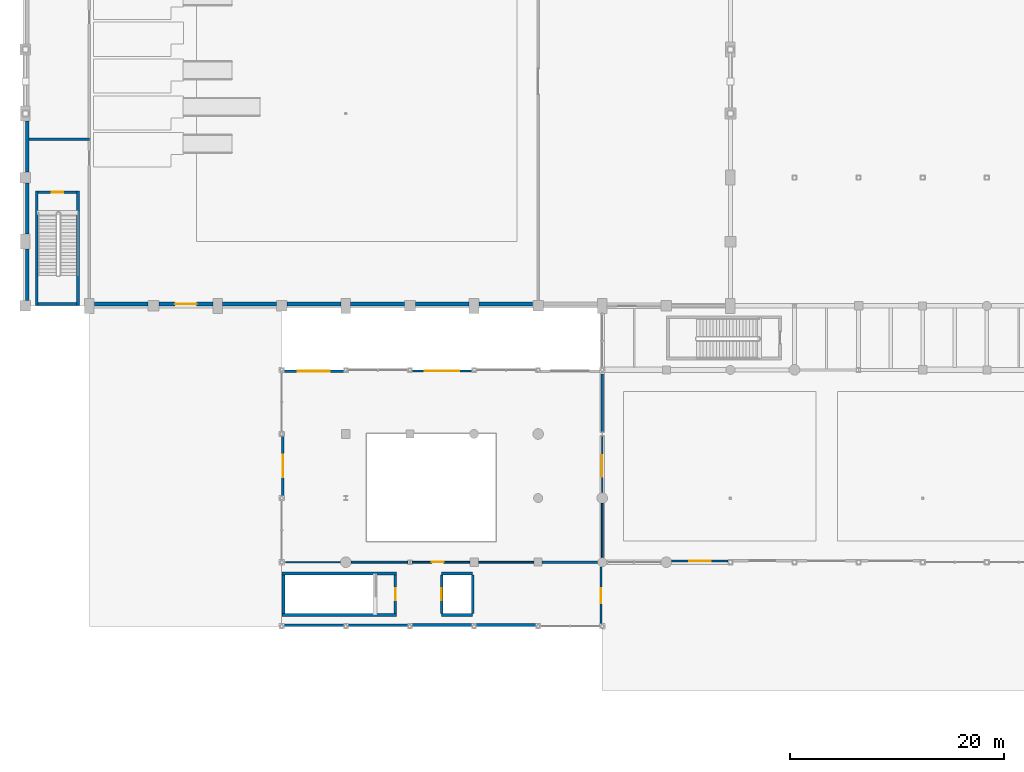
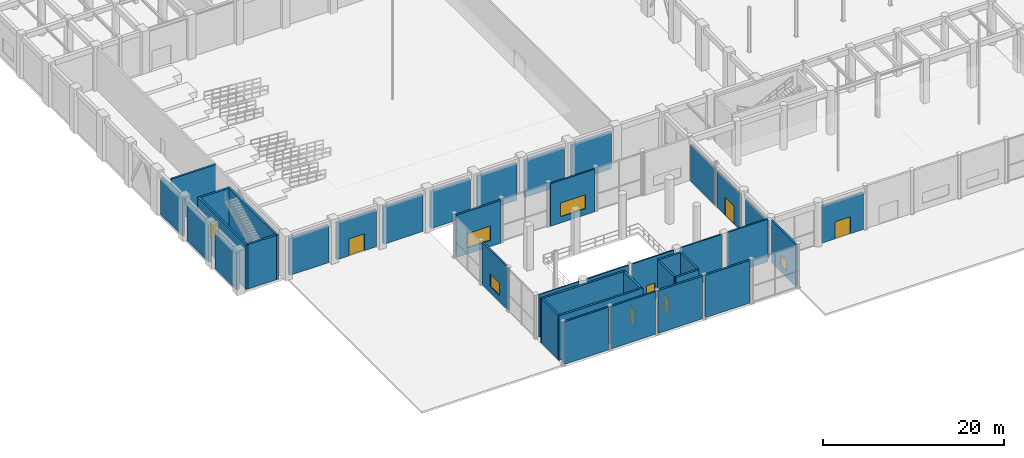
# One storey, part 78 of 106: 40 walls, 7 doors, 4 windows, 11 openings.
"""IFC4 building model written with IfcOpenShell, lengths in metres."""

from ifc_helpers import new_model, si_unit, direction, frame, frame_2d, origin, place, context, subcontext, project, spatial, rectangle, extrude, material, layer, layer_set, type_object, element, fill, save


model = new_model("IFC4")

# Units and contexts
model_context = context("Model", 3, precision=1e-05, world=origin(), true_north=direction((0.0, 1.0)))
body_context = subcontext(model_context, "Body", "Model", "MODEL_VIEW")
ifc_project = project(units=[si_unit("LENGTHUNIT", "METRE"), si_unit("AREAUNIT", "SQUARE_METRE"), si_unit("VOLUMEUNIT", "CUBIC_METRE"), si_unit("PLANEANGLEUNIT", "RADIAN"), si_unit("MASSUNIT", "GRAM", prefix="KILO"), si_unit("THERMODYNAMICTEMPERATUREUNIT", "KELVIN"), si_unit("POWERUNIT", "WATT")], contexts=[model_context])

# Site, building, storey
site_placement = place(None, origin())
site = spatial("IfcSite", under=ifc_project, at=site_placement, CompositionType="ELEMENT")
building_placement = place(site_placement, origin())
building = spatial("IfcBuilding", under=site, at=building_placement, Name="Phaisarnlok Congress Hotel", CompositionType="ELEMENT")
storey_placement = place(building_placement, origin())
storey = spatial("IfcBuildingStorey", under=building, at=storey_placement, Name="L00", CompositionType="ELEMENT", Elevation=0.0)

# Wall, opening, door
ifc_material_1 = material(Name="Concrete C40/50", Category="concrete")
ifc_layer_1 = layer(ifc_material_1, 0.2099609375, Name="Concrete C40/50")
ifc_layer_set_1 = layer_set([ifc_layer_1], Name="Concrete C40/50")
wall_type_1 = type_object("IfcWallType", Name="WL-EXT-210", PredefinedType="SOLIDWALL", material=ifc_layer_set_1)
wall_1_placement = place(storey_placement, frame((60.5048828125, 18.10498046875, 0.0), z_axis=(0.0, 0.0, 1.0), x_axis=(1.0, 0.0, 0.0)))
wall_1 = element("IfcWall", 1, at=wall_1_placement, inside=storey, type_object=wall_type_1, Name="Exterior wall EW-07 (L00)", PredefinedType="SOLIDWALL", context=body_context, shape_type="SweptSolid", body=[
    extrude(rectangle(XDim=5.286865234375, YDim=0.2099609375, at=frame_2d((2.6435546875, 0.0))), origin(), (0.0, 0.0, 1.0), 5.010009765625),
])
opening_1_placement = place(wall_1_placement, frame((1.64306640625, 0.0, 0.0)))
opening_1 = element("IfcOpeningElement", 2, at=opening_1_placement, cuts=wall_1, Name="Opening FE-01", PredefinedType="OPENING", context=body_context, shape_type="SweptSolid", body=[
    extrude(rectangle(XDim=2.0, YDim=2.300048828125, at=frame_2d((1.0, 1.14990234375))), frame((0.0, 0.114990234375, 0.0), z_axis=(0.0, -1.0, 0.0), x_axis=(1.0, 0.0, 0.0)), (0.0, 0.0, 1.0), 0.22998046875),
])
ifc_material_2 = material(Name="Powder-Coated Steel & Laminated Safety Glass", Category="steel")
door_type_1 = type_object("IfcDoorType", Name="DR-EXIT-2000", OperationType="DOUBLE_DOOR_SINGLE_SWING", PredefinedType="DOOR", material=ifc_material_2)
door_1_placement = place(opening_1_placement, frame((2.0, 0.0, 0.0), z_axis=(0.0, 0.0, 1.0), x_axis=(-1.0, 0.0, 0.0)))
door_1 = element("IfcDoor", 3, at=door_1_placement, inside=storey, type_object=door_type_1, Name="Ground final exit door FE-01", OperationType="SINGLE_SWING_LEFT", OverallHeight=2.300048828125, OverallWidth=2.0, PredefinedType="DOOR", context=body_context, shape_type="SweptSolid", body=[
    extrude(rectangle(XDim=2.0, YDim=2.300048828125, at=frame_2d((1.0, 1.14990234375))), frame((0.0, 0.02490234375, 0.0), z_axis=(0.0, -1.0, 0.0), x_axis=(1.0, 0.0, 0.0)), (0.0, 0.0, 1.0), 0.050048828125),
])
fill(opening_1, door_1)

# Wall, opening, window
wall_2_placement = place(storey_placement, frame((41.8330078125, 35.89501953125, 0.0), z_axis=(0.0, 0.0, 1.0), x_axis=(-1.0, 0.0, 0.0)))
wall_2 = element("IfcWall", 4, at=wall_2_placement, inside=storey, type_object=wall_type_1, Name="Exterior wall EW-07 (L00)", PredefinedType="SOLIDWALL", context=body_context, shape_type="SweptSolid", body=[
    extrude(rectangle(XDim=5.666015625, YDim=0.2099609375, at=frame_2d((2.8330078125, 0.0))), origin(), (0.0, 0.0, 1.0), 5.739990234375),
])
opening_2_placement = place(wall_2_placement, frame((1.23291015625, 0.0, 0.85009765625)))
opening_2 = element("IfcOpeningElement", 5, at=opening_2_placement, cuts=wall_2, Name="Opening W-04", PredefinedType="OPENING", context=body_context, shape_type="SweptSolid", body=[
    extrude(rectangle(XDim=3.199951171875, YDim=1.85009765625, at=frame_2d((1.60009765625, 0.925048828125))), frame((0.0, 0.114990234375, 0.0), z_axis=(0.0, -1.0, 0.0), x_axis=(1.0, 0.0, 0.0)), (0.0, 0.0, 1.0), 0.22998046875),
])
ifc_material_3 = material(Name="Thermally Broken Aluminium & Low-E Double Glazing", Category="aluminium")
window_type_1 = type_object("IfcWindowType", Name="WIN-SUITE-3200", PartitioningType="SINGLE_PANEL", PredefinedType="WINDOW", material=ifc_material_3)
window_1_placement = place(opening_2_placement, origin())
window_1 = element("IfcWindow", 6, at=window_1_placement, inside=storey, type_object=window_type_1, Name="Podium window W-04 (L00)", OverallHeight=1.85009765625, OverallWidth=3.199951171875, PartitioningType="SINGLE_PANEL", PredefinedType="WINDOW", context=body_context, shape_type="SweptSolid", body=[
    extrude(rectangle(XDim=3.199951171875, YDim=1.85009765625, at=frame_2d((1.60009765625, 0.925048828125))), frame((0.0, 0.030029296875, 0.0), z_axis=(0.0, -1.0, 0.0), x_axis=(1.0, 0.0, 0.0)), (0.0, 0.0, 1.0), 0.06005859375),
])
fill(opening_2, window_1)

wall_3_placement = place(storey_placement, frame((24.10498046875, 29.8330078125, 0.0), z_axis=(0.0, 0.0, 1.0), x_axis=(0.0, -1.0, 0.0)))
wall_3 = element("IfcWall", 7, at=wall_3_placement, inside=storey, type_object=wall_type_1, Name="Exterior wall EW-07 (L00)", PredefinedType="SOLIDWALL", context=body_context, shape_type="SweptSolid", body=[
    extrude(rectangle(XDim=5.666015625, YDim=0.2099609375, at=frame_2d((2.8330078125, 0.0))), origin(), (0.0, 0.0, 1.0), 5.739990234375),
])
opening_3_placement = place(wall_3_placement, frame((1.782958984375, 0.0, 0.85009765625)))
opening_3 = element("IfcOpeningElement", 8, at=opening_3_placement, cuts=wall_3, Name="Opening W-09", PredefinedType="OPENING", context=body_context, shape_type="SweptSolid", body=[
    extrude(rectangle(XDim=2.10009765625, YDim=1.699951171875, at=frame_2d((1.050048828125, 0.85009765625))), frame((0.0, 0.114990234375, 0.0), z_axis=(0.0, -1.0, 0.0), x_axis=(1.0, 0.0, 0.0)), (0.0, 0.0, 1.0), 0.22998046875),
])
window_type_2 = type_object("IfcWindowType", Name="WIN-POD-2100", PartitioningType="SINGLE_PANEL", PredefinedType="WINDOW", material=ifc_material_3)
window_2_placement = place(opening_3_placement, origin())
window_2 = element("IfcWindow", 9, at=window_2_placement, inside=storey, type_object=window_type_2, Name="Podium window W-09 (L00)", OverallHeight=1.699951171875, OverallWidth=2.10009765625, PartitioningType="SINGLE_PANEL", PredefinedType="WINDOW", context=body_context, shape_type="SweptSolid", body=[
    extrude(rectangle(XDim=2.10009765625, YDim=1.699951171875, at=frame_2d((1.050048828125, 0.85009765625))), frame((0.0, 0.030029296875, 0.0), z_axis=(0.0, -1.0, 0.0), x_axis=(1.0, 0.0, 0.0)), (0.0, 0.0, 1.0), 0.06005859375),
])
fill(opening_3, window_2)

# Wall
wall_4_placement = place(storey_placement, frame((30.1669921875, 12.10498046875, 0.0), z_axis=(0.0, 0.0, 1.0), x_axis=(1.0, 0.0, 0.0)))
element("IfcWall", 10, at=wall_4_placement, inside=storey, type_object=wall_type_1, Name="Exterior wall EW-07 (L00)", PredefinedType="SOLIDWALL", context=body_context, shape_type="SweptSolid", body=[
    extrude(rectangle(XDim=5.666015625, YDim=0.2099609375, at=frame_2d((2.8330078125, 0.0))), origin(), (0.0, 0.0, 1.0), 5.739990234375),
])

# Wall, opening, window
wall_5_placement = place(storey_placement, frame((53.89501953125, 12.1669921875, 0.0), z_axis=(0.0, 0.0, 1.0), x_axis=(0.0, 1.0, 0.0)))
wall_5 = element("IfcWall", 11, at=wall_5_placement, inside=storey, type_object=wall_type_1, Name="Exterior wall EW-07 (L00)", PredefinedType="SOLIDWALL", context=body_context, shape_type="SweptSolid", body=[
    extrude(rectangle(XDim=5.403076171875, YDim=0.2099609375, at=frame_2d((2.70166015625, 0.0))), origin(), (0.0, 0.0, 1.0), 5.739990234375),
])
opening_4_placement = place(wall_5_placement, frame((2.001953125, 0.0, 0.85009765625)))
opening_4 = element("IfcOpeningElement", 12, at=opening_4_placement, cuts=wall_5, Name="Opening W-13", PredefinedType="OPENING", context=body_context, shape_type="SweptSolid", body=[
    extrude(rectangle(XDim=1.39990234375, YDim=1.39990234375, at=frame_2d((0.699951171875, 0.699951171875))), frame((0.0, 0.114990234375, 0.0), z_axis=(0.0, -1.0, 0.0), x_axis=(1.0, 0.0, 0.0)), (0.0, 0.0, 1.0), 0.22998046875),
])
window_type_3 = type_object("IfcWindowType", Name="WIN-POD-1400", PartitioningType="SINGLE_PANEL", PredefinedType="WINDOW", material=ifc_material_3)
window_3_placement = place(opening_4_placement, origin())
window_3 = element("IfcWindow", 13, at=window_3_placement, inside=storey, type_object=window_type_3, Name="Podium window W-13 (L00)", OverallHeight=1.39990234375, OverallWidth=1.39990234375, PartitioningType="SINGLE_PANEL", PredefinedType="WINDOW", context=body_context, shape_type="SweptSolid", body=[
    extrude(rectangle(XDim=1.39990234375, YDim=1.39990234375, at=frame_2d((0.699951171875, 0.699951171875))), frame((0.0, 0.030029296875, 0.0), z_axis=(0.0, -1.0, 0.0), x_axis=(1.0, 0.0, 0.0)), (0.0, 0.0, 1.0), 0.06005859375),
])
fill(opening_4, window_3)

# Wall
ifc_layer_2 = layer(ifc_material_1, 0.22998046875, Name="Concrete C40/50")
ifc_layer_set_2 = layer_set([ifc_layer_2], Name="Concrete C40/50")
wall_type_2 = type_object("IfcWallType", Name="WL-EXT-230", PredefinedType="SOLIDWALL", material=ifc_layer_set_2)
wall_6_placement = place(storey_placement, frame((24.1669921875, 12.114990234375, 0.0), z_axis=(0.0, 0.0, 1.0), x_axis=(1.0, 0.0, 0.0)))
element("IfcWall", 14, at=wall_6_placement, inside=storey, type_object=wall_type_2, Name="Exterior wall EW-06 (L00)", PredefinedType="SOLIDWALL", context=body_context, shape_type="SweptSolid", body=[
    extrude(rectangle(XDim=5.666015625, YDim=0.22998046875, at=frame_2d((2.8330078125, 0.0))), origin(), (0.0, 0.0, 1.0), 5.739990234375),
])

# Wall, opening, window
ifc_layer_3 = layer(ifc_material_1, 0.25, Name="Concrete C40/50")
ifc_layer_set_3 = layer_set([ifc_layer_3], Name="Concrete C40/50")
wall_type_3 = type_object("IfcWallType", Name="WL-EXT-250", PredefinedType="SOLIDWALL", material=ifc_layer_set_3)
wall_7_placement = place(storey_placement, frame((29.8330078125, 35.875, 0.0), z_axis=(0.0, 0.0, 1.0), x_axis=(-1.0, 0.0, 0.0)))
wall_7 = element("IfcWall", 15, at=wall_7_placement, inside=storey, type_object=wall_type_3, Name="Exterior wall EW-05 (L00)", PredefinedType="SOLIDWALL", context=body_context, shape_type="SweptSolid", body=[
    extrude(rectangle(XDim=5.666015625, YDim=0.25, at=frame_2d((2.8330078125, 0.0))), origin(), (0.0, 0.0, 1.0), 5.739990234375),
])
opening_5_placement = place(wall_7_placement, frame((1.3330078125, 0.0, 0.85009765625)))
opening_5 = element("IfcOpeningElement", 16, at=opening_5_placement, cuts=wall_7, Name="Opening W-05", PredefinedType="OPENING", context=body_context, shape_type="SweptSolid", body=[
    extrude(rectangle(XDim=3.0, YDim=1.89990234375, at=frame_2d((1.5, 0.949951171875))), frame((0.0, 0.135009765625, 0.0), z_axis=(0.0, -1.0, 0.0), x_axis=(1.0, 0.0, 0.0)), (0.0, 0.0, 1.0), 0.27001953125),
])
window_type_4 = type_object("IfcWindowType", Name="WIN-POD-3000", PartitioningType="SINGLE_PANEL", PredefinedType="WINDOW", material=ifc_material_3)
window_4_placement = place(opening_5_placement, origin())
window_4 = element("IfcWindow", 17, at=window_4_placement, inside=storey, type_object=window_type_4, Name="Podium window W-05 (L00)", OverallHeight=1.89990234375, OverallWidth=3.0, PartitioningType="SINGLE_PANEL", PredefinedType="WINDOW", context=body_context, shape_type="SweptSolid", body=[
    extrude(rectangle(XDim=3.0, YDim=1.89990234375, at=frame_2d((1.5, 0.949951171875))), frame((0.0, 0.030029296875, 0.0), z_axis=(0.0, -1.0, 0.0), x_axis=(1.0, 0.0, 0.0)), (0.0, 0.0, 1.0), 0.06005859375),
])
fill(opening_5, window_4)

# Walls
wall_8_placement = place(storey_placement, frame((42.1669921875, 12.125, 0.0), z_axis=(0.0, 0.0, 1.0), x_axis=(1.0, 0.0, 0.0)))
element("IfcWall", 18, at=wall_8_placement, inside=storey, type_object=wall_type_3, Name="Exterior wall EW-05 (L00)", PredefinedType="SOLIDWALL", context=body_context, shape_type="SweptSolid", body=[
    extrude(rectangle(XDim=5.666015625, YDim=0.25, at=frame_2d((2.8330078125, 0.0))), origin(), (0.0, 0.0, 1.0), 5.739990234375),
])
ifc_layer_4 = layer(ifc_material_1, 0.27001953125, Name="Concrete C40/50")
ifc_layer_set_4 = layer_set([ifc_layer_4], Name="Concrete C40/50")
wall_type_4 = type_object("IfcWallType", Name="WL-EXT-270", PredefinedType="SOLIDWALL", material=ifc_layer_set_4)
wall_9_placement = place(storey_placement, frame((36.1669921875, 12.135009765625, 0.0), z_axis=(0.0, 0.0, 1.0), x_axis=(1.0, 0.0, 0.0)))
element("IfcWall", 19, at=wall_9_placement, inside=storey, type_object=wall_type_4, Name="Exterior wall EW-04 (L00)", PredefinedType="SOLIDWALL", context=body_context, shape_type="SweptSolid", body=[
    extrude(rectangle(XDim=5.666015625, YDim=0.27001953125, at=frame_2d((2.8330078125, 0.0))), origin(), (0.0, 0.0, 1.0), 5.739990234375),
])
ifc_layer_5 = layer(ifc_material_1, 0.360107421875, Name="Concrete C40/50")
ifc_layer_set_5 = layer_set([ifc_layer_5], Name="Concrete C40/50")
wall_type_5 = type_object("IfcWallType", Name="WL-EXT-360", PredefinedType="SOLIDWALL", material=ifc_layer_set_5)
for number, where, z_axis, x_axis, name in (
    (20, (0.179931640625, 59.294921875, 0.0), (0.0, 0.0, 1.0), (0.0, -1.0, 0.0), "Exterior wall EW-01 (L00)"),
    (21, (0.179931640625, 53.4951171875, 0.0), (0.0, 0.0, 1.0), (0.0, -1.0, 0.0), "Exterior wall EW-01 (L00)"),
    (22, (0.179931640625, 47.294921875, 0.0), (0.0, 0.0, 1.0), (0.0, -1.0, 0.0), "Exterior wall EW-01 (L00)"),
):
    element("IfcWall", number, at=place(storey_placement, frame(where, z_axis=z_axis, x_axis=x_axis)), inside=storey, type_object=wall_type_5, Name=name, PredefinedType="SOLIDWALL", context=body_context, shape_type="SweptSolid", body=[
        extrude(rectangle(XDim=4.7900390625, YDim=0.360107421875, at=frame_2d((2.39501953125, 0.0))), origin(), (0.0, 0.0, 1.0), 4.989990234375),
    ])
wall_10_placement = place(storey_placement, frame((6.455078125, 42.179931640625, 0.0), z_axis=(0.0, 0.0, 1.0), x_axis=(1.0, 0.0, 0.0)))
element("IfcWall", 23, at=wall_10_placement, inside=storey, type_object=wall_type_5, Name="Exterior wall EW-01 (L00)", PredefinedType="SOLIDWALL", context=body_context, shape_type="SweptSolid", body=[
    extrude(rectangle(XDim=5.0400390625, YDim=0.360107421875, at=frame_2d((2.52001953125, 0.0))), origin(), (0.0, 0.0, 1.0), 4.989990234375),
])

# Wall, opening, door
wall_11_placement = place(storey_placement, frame((12.5048828125, 42.179931640625, 0.0), z_axis=(0.0, 0.0, 1.0), x_axis=(1.0, 0.0, 0.0)))
wall_11 = element("IfcWall", 24, at=wall_11_placement, inside=storey, type_object=wall_type_5, Name="Exterior wall EW-01 (L00)", PredefinedType="SOLIDWALL", context=body_context, shape_type="SweptSolid", body=[
    extrude(rectangle(XDim=5.0400390625, YDim=0.360107421875, at=frame_2d((2.52001953125, 0.0))), origin(), (0.0, 0.0, 1.0), 4.989990234375),
])
opening_6_placement = place(wall_11_placement, frame((1.52001953125, 0.0, 0.0)))
opening_6 = element("IfcOpeningElement", 25, at=opening_6_placement, cuts=wall_11, Name="Opening TD-01", PredefinedType="OPENING", context=body_context, shape_type="SweptSolid", body=[
    extrude(rectangle(XDim=2.0, YDim=2.300048828125, at=frame_2d((1.0, 1.14990234375))), frame((0.0, 0.18994140625, 0.0), z_axis=(0.0, -1.0, 0.0), x_axis=(1.0, 0.0, 0.0)), (0.0, 0.0, 1.0), 0.380126953125),
])
door_2_placement = place(opening_6_placement, frame((2.0, 0.0, 0.0), z_axis=(0.0, 0.0, 1.0), x_axis=(-1.0, 0.0, 0.0)))
door_2 = element("IfcDoor", 26, at=door_2_placement, inside=storey, type_object=door_type_1, Name="Outdoor terrace door TD-01 (L00)", OperationType="SINGLE_SWING_LEFT", OverallHeight=2.300048828125, OverallWidth=2.0, PredefinedType="DOOR", context=body_context, shape_type="SweptSolid", body=[
    extrude(rectangle(XDim=2.0, YDim=2.300048828125, at=frame_2d((1.0, 1.14990234375))), frame((0.0, 0.02490234375, 0.0), z_axis=(0.0, -1.0, 0.0), x_axis=(1.0, 0.0, 0.0)), (0.0, 0.0, 1.0), 0.050048828125),
])
fill(opening_6, door_2)

# Walls
for number, where, z_axis, x_axis, name in (
    (27, (18.455078125, 42.179931640625, 0.0), (0.0, 0.0, 1.0), (1.0, 0.0, 0.0), "Exterior wall EW-01 (L00)"),
    (28, (24.5048828125, 42.179931640625, 0.0), (0.0, 0.0, 1.0), (1.0, 0.0, 0.0), "Exterior wall EW-01 (L00)"),
    (29, (30.455078125, 42.179931640625, 0.0), (0.0, 0.0, 1.0), (1.0, 0.0, 0.0), "Exterior wall EW-01 (L00)"),
    (30, (36.5048828125, 42.179931640625, 0.0), (0.0, 0.0, 1.0), (1.0, 0.0, 0.0), "Exterior wall EW-01 (L00)"),
    (31, (42.455078125, 42.179931640625, 0.0), (0.0, 0.0, 1.0), (1.0, 0.0, 0.0), "Exterior wall EW-01 (L00)"),
):
    element("IfcWall", number, at=place(storey_placement, frame(where, z_axis=z_axis, x_axis=x_axis)), inside=storey, type_object=wall_type_5, Name=name, PredefinedType="SOLIDWALL", context=body_context, shape_type="SweptSolid", body=[
        extrude(rectangle(XDim=5.0400390625, YDim=0.360107421875, at=frame_2d((2.52001953125, 0.0))), origin(), (0.0, 0.0, 1.0), 4.989990234375),
    ])
ifc_material_4 = material(Name="Service Riser Shaftwall Partition", Category="gypsum")
ifc_layer_6 = layer(ifc_material_4, 0.10498046875, Name="Service Riser Shaftwall Partition")
ifc_layer_set_6 = layer_set([ifc_layer_6], Name="Service Riser Shaftwall Partition")
wall_type_6 = type_object("IfcWallType", Name="WL-INT-105", PredefinedType="PARTITIONING", material=ifc_layer_set_6)
wall_12_placement = place(storey_placement, frame((24.3701171875, 18.0, 0.0), z_axis=(0.0, 0.0, 1.0), x_axis=(1.0, 0.0, 0.0)))
element("IfcWall", 32, at=wall_12_placement, inside=storey, type_object=wall_type_6, Name="Interior partition wall IW-08 (L00)", PredefinedType="PARTITIONING", context=body_context, shape_type="SweptSolid", body=[
    extrude(rectangle(XDim=5.125, YDim=0.10498046875, at=frame_2d((2.5625, 0.0))), origin(), (0.0, 0.0, 1.0), 5.739990234375),
])

# Wall, opening, door
ifc_material_5 = material(Name="Acoustic Gypsum Board & Mineral Wool", Category="gypsum")
ifc_layer_7 = layer(ifc_material_5, 0.14990234375, Name="Acoustic Gypsum Board & Mineral Wool")
ifc_layer_set_7 = layer_set([ifc_layer_7], Name="Acoustic Gypsum Board & Mineral Wool")
wall_type_7 = type_object("IfcWallType", Name="WL-INT-150", PredefinedType="PARTITIONING", material=ifc_layer_set_7)
wall_13_placement = place(storey_placement, frame((54.0, 24.5048828125, 0.0), z_axis=(0.0, 0.0, 1.0), x_axis=(0.0, 1.0, 0.0)))
wall_13 = element("IfcWall", 33, at=wall_13_placement, inside=storey, type_object=wall_type_7, Name="Interior partition wall IW-05 (L00)", PredefinedType="PARTITIONING", context=body_context, shape_type="SweptSolid", body=[
    extrude(rectangle(XDim=5.29052734375, YDim=0.14990234375, at=frame_2d((2.645263671875, 0.0))), origin(), (0.0, 0.0, 1.0), 4.989990234375),
])
opening_7_placement = place(wall_13_placement, frame((1.4951171875, 0.0, 0.0)))
opening_7 = element("IfcOpeningElement", 34, at=opening_7_placement, cuts=wall_13, Name="Opening D-0048", PredefinedType="OPENING", context=body_context, shape_type="SweptSolid", body=[
    extrude(rectangle(XDim=2.0, YDim=2.449951171875, at=frame_2d((1.0, 1.22509765625))), frame((0.0, 0.0849609375, 0.0), z_axis=(0.0, -1.0, 0.0), x_axis=(1.0, 0.0, 0.0)), (0.0, 0.0, 1.0), 0.169921875),
])
ifc_material_6 = material(Name="Acoustic Double-Seal Congress Door", Category="wood")
door_type_2 = type_object("IfcDoorType", Name="DR-HALL-2000", OperationType="DOUBLE_DOOR_SINGLE_SWING", PredefinedType="DOOR", material=ifc_material_6)
door_3_placement = place(opening_7_placement, origin())
door_3 = element("IfcDoor", 35, at=door_3_placement, inside=storey, type_object=door_type_2, Name="Interior door D-0048 (L00)", OperationType="DOUBLE_DOOR_SINGLE_SWING", OverallHeight=2.449951171875, OverallWidth=2.0, PredefinedType="DOOR", context=body_context, shape_type="SweptSolid", body=[
    extrude(rectangle(XDim=2.0, YDim=2.449951171875, at=frame_2d((1.0, 1.22509765625))), frame((0.0, 0.02490234375, 0.0), z_axis=(0.0, -1.0, 0.0), x_axis=(1.0, 0.0, 0.0)), (0.0, 0.0, 1.0), 0.050048828125),
])
fill(opening_7, door_3)

# Walls
wall_14_placement = place(storey_placement, frame((42.405029296875, 18.0, 0.0), z_axis=(0.0, 0.0, 1.0), x_axis=(1.0, 0.0, 0.0)))
element("IfcWall", 36, at=wall_14_placement, inside=storey, type_object=wall_type_7, Name="Interior partition wall IW-05 (L00)", PredefinedType="PARTITIONING", context=body_context, shape_type="SweptSolid", body=[
    extrude(rectangle(XDim=5.215087890625, YDim=0.14990234375, at=frame_2d((2.607421875, 0.0))), origin(), (0.0, 0.0, 1.0), 5.739990234375),
])
ifc_material_7 = material(Name="Double-Stud Acoustic Gypsum Partition", Category="gypsum")
ifc_layer_8 = layer(ifc_material_7, 0.159912109375, Name="Double-Stud Acoustic Gypsum Partition")
ifc_layer_set_8 = layer_set([ifc_layer_8], Name="Double-Stud Acoustic Gypsum Partition")
wall_type_8 = type_object("IfcWallType", Name="WL-INT-160", PredefinedType="PARTITIONING", material=ifc_layer_set_8)
wall_15_placement = place(storey_placement, frame((54.0, 18.429931640625, 0.0), z_axis=(0.0, 0.0, 1.0), x_axis=(0.0, 1.0, 0.0)))
element("IfcWall", 37, at=wall_15_placement, inside=storey, type_object=wall_type_8, Name="Interior partition wall IW-04 (L00)", PredefinedType="PARTITIONING", context=body_context, shape_type="SweptSolid", body=[
    extrude(rectangle(XDim=5.065185546875, YDim=0.159912109375, at=frame_2d((2.53271484375, 0.0))), origin(), (0.0, 0.0, 1.0), 5.010009765625),
])

# Wall, opening, door
wall_16_placement = place(storey_placement, frame((36.20556640625, 18.0, 0.0), z_axis=(0.0, 0.0, 1.0), x_axis=(1.0, 0.0, 0.0)))
wall_16 = element("IfcWall", 38, at=wall_16_placement, inside=storey, type_object=wall_type_8, Name="Interior partition wall IW-04 (L00)", PredefinedType="PARTITIONING", context=body_context, shape_type="SweptSolid", body=[
    extrude(rectangle(XDim=5.389404296875, YDim=0.159912109375, at=frame_2d((2.69482421875, 0.0))), origin(), (0.0, 0.0, 1.0), 5.739990234375),
])
opening_8_placement = place(wall_16_placement, frame((1.844970703125, 0.0, 0.0)))
opening_8 = element("IfcOpeningElement", 39, at=opening_8_placement, cuts=wall_16, Name="Opening D-0024", PredefinedType="OPENING", context=body_context, shape_type="SweptSolid", body=[
    extrude(rectangle(XDim=1.10009765625, YDim=2.14990234375, at=frame_2d((0.550048828125, 1.074951171875))), frame((0.0, 0.08984375, 0.0), z_axis=(0.0, -1.0, 0.0), x_axis=(1.0, 0.0, 0.0)), (0.0, 0.0, 1.0), 0.179931640625),
])
ifc_material_8 = material(Name="Fire-Rated Steel Frame & Timber Leaf", Category="steel")
door_type_3 = type_object("IfcDoorType", Name="DR-FD60-1100", OperationType="NOTDEFINED", PredefinedType="DOOR", material=ifc_material_8)
door_4_placement = place(opening_8_placement, origin())
door_4 = element("IfcDoor", 40, at=door_4_placement, inside=storey, type_object=door_type_3, Name="Interior door D-0024 (L00)", OperationType="SINGLE_SWING_LEFT", OverallHeight=2.14990234375, OverallWidth=1.10009765625, PredefinedType="DOOR", context=body_context, shape_type="SweptSolid", body=[
    extrude(rectangle(XDim=1.10009765625, YDim=2.14990234375, at=frame_2d((0.550048828125, 1.074951171875))), frame((0.0, 0.02490234375, 0.0), z_axis=(0.0, -1.0, 0.0), x_axis=(1.0, 0.0, 0.0)), (0.0, 0.0, 1.0), 0.050048828125),
])
fill(opening_8, door_4)

# Walls
ifc_material_9 = material(Name="Autoclaved Aerated Concrete Block", Category="concrete")
ifc_layer_9 = layer(ifc_material_9, 0.179931640625, Name="Autoclaved Aerated Concrete Block")
ifc_layer_set_9 = layer_set([ifc_layer_9], Name="Autoclaved Aerated Concrete Block")
wall_type_9 = type_object("IfcWallType", Name="WL-INT-180", PredefinedType="PARTITIONING", material=ifc_layer_set_9)
wall_17_placement = place(storey_placement, frame((30.5048828125, 18.0, 0.0), z_axis=(0.0, 0.0, 1.0), x_axis=(1.0, 0.0, 0.0)))
element("IfcWall", 41, at=wall_17_placement, inside=storey, type_object=wall_type_9, Name="Interior partition wall IW-03 (L00)", PredefinedType="PARTITIONING", context=body_context, shape_type="SweptSolid", body=[
    extrude(rectangle(XDim=5.28955078125, YDim=0.179931640625, at=frame_2d((2.644775390625, 0.0))), origin(), (0.0, 0.0, 1.0), 5.739990234375),
])
ifc_layer_10 = layer(ifc_material_9, 0.199951171875, Name="Autoclaved Aerated Concrete Block")
ifc_layer_set_10 = layer_set([ifc_layer_10], Name="Autoclaved Aerated Concrete Block")
wall_type_10 = type_object("IfcWallType", Name="WL-INT-200", PredefinedType="PARTITIONING", material=ifc_layer_set_10)
wall_18_placement = place(storey_placement, frame((54.0, 30.20458984375, 0.0), z_axis=(0.0, 0.0, 1.0), x_axis=(0.0, 1.0, 0.0)))
element("IfcWall", 42, at=wall_18_placement, inside=storey, type_object=wall_type_10, Name="Interior partition wall IW-02 (L00)", PredefinedType="PARTITIONING", context=body_context, shape_type="SweptSolid", body=[
    extrude(rectangle(XDim=5.42529296875, YDim=0.199951171875, at=frame_2d((2.712646484375, 0.0))), origin(), (0.0, 0.0, 1.0), 4.989990234375),
])
wall_19_placement = place(storey_placement, frame((48.3798828125, 18.0, 0.0), z_axis=(0.0, 0.0, 1.0), x_axis=(1.0, 0.0, 0.0)))
element("IfcWall", 43, at=wall_19_placement, inside=storey, type_object=wall_type_10, Name="Interior partition wall IW-02 (L00)", PredefinedType="PARTITIONING", context=body_context, shape_type="SweptSolid", body=[
    extrude(rectangle(XDim=5.190185546875, YDim=0.199951171875, at=frame_2d((2.59521484375, 0.0))), origin(), (0.0, 0.0, 1.0), 5.739990234375),
])
ifc_layer_11 = layer(ifc_material_1, 0.239990234375, Name="Concrete C40/50")
ifc_layer_set_11 = layer_set([ifc_layer_11], Name="Concrete C40/50")
wall_type_11 = type_object("IfcWallType", Name="WL-INT-240", PredefinedType="PARTITIONING", material=ifc_layer_set_11)
wall_20_placement = place(storey_placement, frame((0.364990234375, 57.60009765625, 0.0), z_axis=(0.0, 0.0, 1.0), x_axis=(1.0, 0.0, 0.0)))
element("IfcWall", 44, at=wall_20_placement, inside=storey, type_object=wall_type_11, Name="Interior partition wall IW-01 (L00)", PredefinedType="PARTITIONING", context=body_context, shape_type="SweptSolid", body=[
    extrude(rectangle(XDim=5.635009765625, YDim=0.239990234375, at=frame_2d((2.8173828125, 0.0))), origin(), (0.0, 0.0, 1.0), 5.739990234375),
])
ifc_material_10 = material(Name="Concrete C50/60", Category="concrete")
ifc_layer_12 = layer(ifc_material_10, 0.260009765625, Name="Concrete C50/60")
ifc_layer_set_12 = layer_set([ifc_layer_12], Name="Concrete C50/60")
wall_type_12 = type_object("IfcWallType", Name="WL-SHR-260", PredefinedType="SHEAR", material=ifc_layer_set_12)
for number, where, z_axis, x_axis, name in (
    (45, (1.070068359375, 42.0400390625, 0.0), (0.0, 0.0, 1.0), (0.0, 1.0, 0.0), "Stair shaft shear wall SW-04 (STAIR-W L00)"),
    (46, (4.929931640625, 42.0400390625, 0.0), (0.0, 0.0, 1.0), (0.0, 1.0, 0.0), "Stair shaft shear wall SW-04 (STAIR-W L00)"),
):
    element("IfcWall", number, at=place(storey_placement, frame(where, z_axis=z_axis, x_axis=x_axis)), inside=storey, type_object=wall_type_12, Name=name, PredefinedType="SHEAR", context=body_context, shape_type="SweptSolid", body=[
        extrude(rectangle(XDim=10.719970703125, YDim=0.260009765625, at=frame_2d((5.35986328125, 0.0))), origin(), (0.0, 0.0, 1.0), 6.0),
    ])

# Wall, opening, door
wall_21_placement = place(storey_placement, frame((1.199951171875, 52.6298828125, 0.0), z_axis=(0.0, 0.0, 1.0), x_axis=(1.0, 0.0, 0.0)))
wall_21 = element("IfcWall", 47, at=wall_21_placement, inside=storey, type_object=wall_type_12, Name="Stair shaft shear wall SW-04 (STAIR-W L00)", PredefinedType="SHEAR", context=body_context, shape_type="SweptSolid", body=[
    extrude(rectangle(XDim=3.60009765625, YDim=0.260009765625, at=frame_2d((1.800048828125, 0.0))), origin(), (0.0, 0.0, 1.0), 6.0),
])
opening_9_placement = place(wall_21_placement, frame((1.25, 0.0, 0.0)))
opening_9 = element("IfcOpeningElement", 48, at=opening_9_placement, cuts=wall_21, Name="Opening FD-165", PredefinedType="OPENING", context=body_context, shape_type="SweptSolid", body=[
    extrude(rectangle(XDim=1.10009765625, YDim=2.14990234375, at=frame_2d((0.550048828125, 1.074951171875))), frame((0.0, 0.14013671875, 0.0), z_axis=(0.0, -1.0, 0.0), x_axis=(1.0, 0.0, 0.0)), (0.0, 0.0, 1.0), 0.280029296875),
])
door_5_placement = place(opening_9_placement, origin())
door_5 = element("IfcDoor", 49, at=door_5_placement, inside=storey, type_object=door_type_3, Name="Stair enclosure fire door FD-165 (L00)", OperationType="SINGLE_SWING_RIGHT", OverallHeight=2.14990234375, OverallWidth=1.10009765625, PredefinedType="DOOR", context=body_context, shape_type="SweptSolid", body=[
    extrude(rectangle(XDim=1.10009765625, YDim=2.14990234375, at=frame_2d((0.550048828125, 1.074951171875))), frame((0.0, 0.02490234375, 0.0), z_axis=(0.0, -1.0, 0.0), x_axis=(1.0, 0.0, 0.0)), (0.0, 0.0, 1.0), 0.050048828125),
])
fill(opening_9, door_5)

# Walls
for number, where, z_axis, x_axis, name in (
    (50, (24.0400390625, 13.070068359375, 0.0), (0.0, 0.0, 1.0), (1.0, 0.0, 0.0), "Stair shaft shear wall SW-04 (STAIR-MRT L00)"),
    (51, (24.0400390625, 16.929931640625, 0.0), (0.0, 0.0, 1.0), (1.0, 0.0, 0.0), "Stair shaft shear wall SW-04 (STAIR-MRT L00)"),
):
    element("IfcWall", number, at=place(storey_placement, frame(where, z_axis=z_axis, x_axis=x_axis)), inside=storey, type_object=wall_type_12, Name=name, PredefinedType="SHEAR", context=body_context, shape_type="SweptSolid", body=[
        extrude(rectangle(XDim=10.719970703125, YDim=0.260009765625, at=frame_2d((5.35986328125, 0.0))), origin(), (0.0, 0.0, 1.0), 6.0),
    ])

# Wall, opening, door
wall_22_placement = place(storey_placement, frame((34.6298828125, 13.199951171875, 0.0), z_axis=(0.0, 0.0, 1.0), x_axis=(0.0, 1.0, 0.0)))
wall_22 = element("IfcWall", 52, at=wall_22_placement, inside=storey, type_object=wall_type_12, Name="Stair shaft shear wall SW-04 (STAIR-MRT L00)", PredefinedType="SHEAR", context=body_context, shape_type="SweptSolid", body=[
    extrude(rectangle(XDim=3.60009765625, YDim=0.260009765625, at=frame_2d((1.800048828125, 0.0))), origin(), (0.0, 0.0, 1.0), 6.0),
])
opening_10_placement = place(wall_22_placement, frame((1.25, 0.0, 0.0)))
opening_10 = element("IfcOpeningElement", 53, at=opening_10_placement, cuts=wall_22, Name="Opening FD-176", PredefinedType="OPENING", context=body_context, shape_type="SweptSolid", body=[
    extrude(rectangle(XDim=1.10009765625, YDim=2.14990234375, at=frame_2d((0.550048828125, 1.074951171875))), frame((0.0, 0.14013671875, 0.0), z_axis=(0.0, -1.0, 0.0), x_axis=(1.0, 0.0, 0.0)), (0.0, 0.0, 1.0), 0.280029296875),
])
door_6_placement = place(opening_10_placement, origin())
door_6 = element("IfcDoor", 54, at=door_6_placement, inside=storey, type_object=door_type_3, Name="Stair enclosure fire door FD-176 (L00)", OperationType="SINGLE_SWING_LEFT", OverallHeight=2.14990234375, OverallWidth=1.10009765625, PredefinedType="DOOR", context=body_context, shape_type="SweptSolid", body=[
    extrude(rectangle(XDim=1.10009765625, YDim=2.14990234375, at=frame_2d((0.550048828125, 1.074951171875))), frame((0.0, 0.02490234375, 0.0), z_axis=(0.0, -1.0, 0.0), x_axis=(1.0, 0.0, 0.0)), (0.0, 0.0, 1.0), 0.050048828125),
])
fill(opening_10, door_6)

# Walls
for number, where, z_axis, x_axis, name in (
    (55, (38.969970703125, 13.070068359375, 0.0), (0.0, 0.0, 1.0), (1.0, 0.0, 0.0), "Lift shaft shear wall SW-04 (LF-MP1 L00)"),
    (56, (38.969970703125, 16.929931640625, 0.0), (0.0, 0.0, 1.0), (1.0, 0.0, 0.0), "Lift shaft shear wall SW-04 (LF-MP1 L00)"),
):
    element("IfcWall", number, at=place(storey_placement, frame(where, z_axis=z_axis, x_axis=x_axis)), inside=storey, type_object=wall_type_12, Name=name, PredefinedType="SHEAR", context=body_context, shape_type="SweptSolid", body=[
        extrude(rectangle(XDim=2.909912109375, YDim=0.260009765625, at=frame_2d((1.455078125, 0.0))), origin(), (0.0, 0.0, 1.0), 6.0),
    ])
wall_23_placement = place(storey_placement, frame((41.8798828125, 13.199951171875, 0.0), z_axis=(0.0, 0.0, 1.0), x_axis=(0.0, 1.0, 0.0)))
element("IfcWall", 57, at=wall_23_placement, inside=storey, type_object=wall_type_12, Name="Lift shaft shear wall SW-04 (LF-MP1 L00)", PredefinedType="SHEAR", context=body_context, shape_type="SweptSolid", body=[
    extrude(rectangle(XDim=3.60009765625, YDim=0.260009765625, at=frame_2d((1.800048828125, 0.0))), origin(), (0.0, 0.0, 1.0), 6.0),
])

# Wall, opening, door
wall_24_placement = place(storey_placement, frame((38.969970703125, 13.199951171875, 0.0), z_axis=(0.0, 0.0, 1.0), x_axis=(0.0, 1.0, 0.0)))
wall_24 = element("IfcWall", 58, at=wall_24_placement, inside=storey, type_object=wall_type_12, Name="Lift shaft front wall SW-04 (LF-MP1 L00)", PredefinedType="SHEAR", context=body_context, shape_type="SweptSolid", body=[
    extrude(rectangle(XDim=3.60009765625, YDim=0.260009765625, at=frame_2d((1.800048828125, 0.0))), origin(), (0.0, 0.0, 1.0), 6.0),
])
opening_11_placement = place(wall_24_placement, frame((1.25, 0.0, 0.0)))
opening_11 = element("IfcOpeningElement", 59, at=opening_11_placement, cuts=wall_24, Name="Opening LD-131", PredefinedType="OPENING", context=body_context, shape_type="SweptSolid", body=[
    extrude(rectangle(XDim=1.10009765625, YDim=2.199951171875, at=frame_2d((0.550048828125, 1.10009765625))), frame((0.0, 0.14013671875, 0.0), z_axis=(0.0, -1.0, 0.0), x_axis=(1.0, 0.0, 0.0)), (0.0, 0.0, 1.0), 0.280029296875),
])
ifc_material_11 = material(Name="Brushed Stainless Steel Grade 304", Category="steel")
door_type_4 = type_object("IfcDoorType", Name="DR-LD-1100", OperationType="DOUBLE_DOOR_SLIDING", PredefinedType="DOOR", material=ifc_material_11)
door_7_placement = place(opening_11_placement, origin())
door_7 = element("IfcDoor", 60, at=door_7_placement, inside=storey, type_object=door_type_4, Name="Lift landing sliding door LD-131 (LF-MP1 L00)", OperationType="DOUBLE_DOOR_SLIDING", OverallHeight=2.199951171875, OverallWidth=1.10009765625, PredefinedType="DOOR", context=body_context, shape_type="SweptSolid", body=[
    extrude(rectangle(XDim=1.10009765625, YDim=2.199951171875, at=frame_2d((0.550048828125, 1.10009765625))), frame((0.0, 0.02490234375, 0.0), z_axis=(0.0, -1.0, 0.0), x_axis=(1.0, 0.0, 0.0)), (0.0, 0.0, 1.0), 0.050048828125),
])
fill(opening_11, door_7)

# Walls
ifc_layer_13 = layer(ifc_material_10, 0.260009765625, Name="Concrete C50/60")
ifc_layer_set_13 = layer_set([ifc_layer_13], Name="Concrete C50/60")
wall_type_13 = type_object("IfcWallType", Name="WL-SHR-260-EXT", PredefinedType="SHEAR", material=ifc_layer_set_13)
for number, where, z_axis, x_axis, name in (
    (61, (1.199951171875, 42.169921875, 0.0), (0.0, 0.0, 1.0), (1.0, 0.0, 0.0), "Stair shaft shear wall SW-04E (STAIR-W L00)"),
    (62, (24.169921875, 13.199951171875, 0.0), (0.0, 0.0, 1.0), (0.0, 1.0, 0.0), "Stair shaft shear wall SW-04E (STAIR-MRT L00)"),
):
    element("IfcWall", number, at=place(storey_placement, frame(where, z_axis=z_axis, x_axis=x_axis)), inside=storey, type_object=wall_type_13, Name=name, PredefinedType="SHEAR", context=body_context, shape_type="SweptSolid", body=[
        extrude(rectangle(XDim=3.60009765625, YDim=0.260009765625, at=frame_2d((1.800048828125, 0.0))), origin(), (0.0, 0.0, 1.0), 6.0),
    ])

save(model, "model.ifc")
